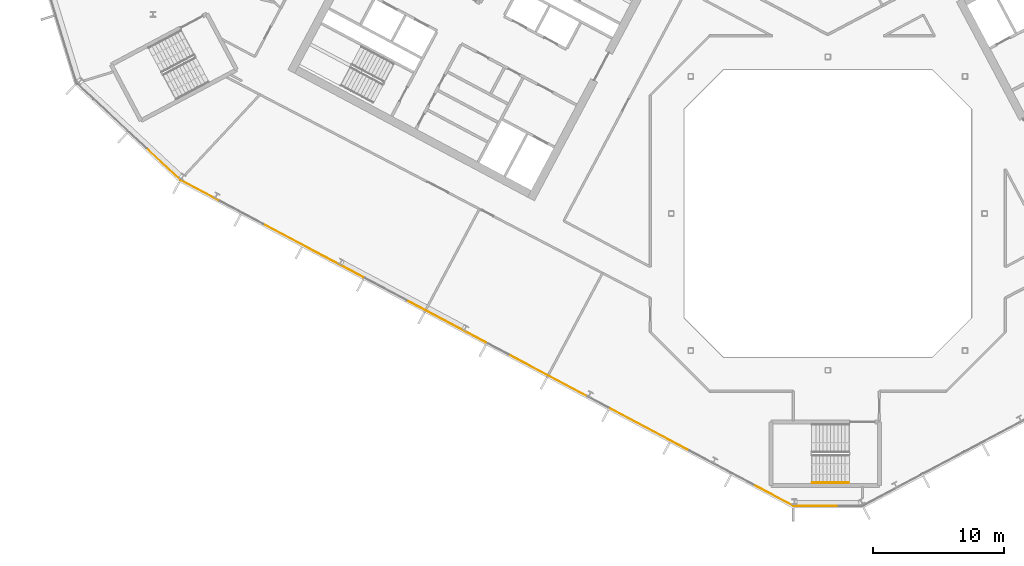
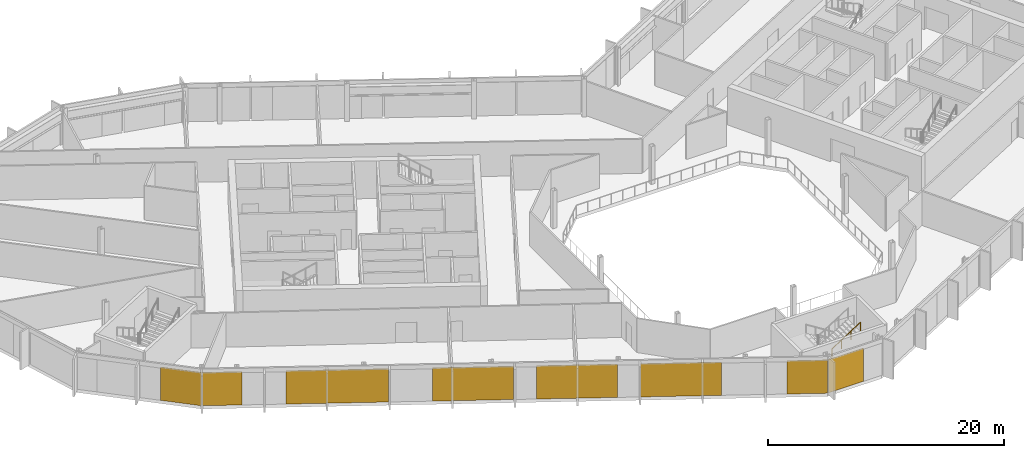
# One storey, part 18 of 26: 8 coverings, 1 railing, 3 elements without a shape of their own.
"""IFC4 building model written with IfcOpenShell, lengths in metres."""

from ifc_helpers import new_model, si_unit, direction, frame, origin, origin_2d, place, context, subcontext, project, spatial, polyline, rectangle, outline, extrude, material, layer, layer_set, type_object, element, aggregate, save


model = new_model("IFC4")

# Units and contexts
model_context = context("Model", 3, precision=1e-05, world=origin(), true_north=direction((0.0, 1.0)))
body_context = subcontext(model_context, "Body", "Model", "MODEL_VIEW")
ifc_project = project(units=[si_unit("LENGTHUNIT", "METRE"), si_unit("AREAUNIT", "SQUARE_METRE"), si_unit("VOLUMEUNIT", "CUBIC_METRE"), si_unit("PLANEANGLEUNIT", "RADIAN"), si_unit("MASSUNIT", "GRAM", prefix="KILO")], contexts=[model_context])

# Site, building, storey
site_placement = place(None, origin())
site = spatial("IfcSite", under=ifc_project, at=site_placement, CompositionType="ELEMENT")
building_placement = place(site_placement, origin())
building = spatial("IfcBuilding", under=site, at=building_placement, Name="Cormorant Relay Tower", CompositionType="ELEMENT")
storey_placement = place(building_placement, frame((0.0, 0.0, 220.800048828125)))
storey = spatial("IfcBuildingStorey", under=building, at=storey_placement, Name="L48", CompositionType="ELEMENT", Elevation=220.800048828125)

# Curtain wall, covering
ifc_material_1 = material(Name="Aluminium 6063-T6 anodised bronze", Category="aluminium")
ifc_layer_1 = layer(ifc_material_1, 0.199951171875)
ifc_layer_set_1 = layer_set([ifc_layer_1], Name="CW1 unitised bronze curtain wall with vertical fins")
curtain_wall_type = type_object("IfcCurtainWallType", Name="CW1 unitised bronze curtain wall with vertical fins", PredefinedType="NOTDEFINED", material=ifc_layer_set_1)
curtain_wall_1_placement = place(storey_placement, origin())
curtain_wall_1 = element("IfcCurtainWall", 1, at=curtain_wall_1_placement, inside=storey, type_object=curtain_wall_type, Name="CW1 curtain wall 1", PredefinedType="NOTDEFINED")
ifc_material_2 = material(Name="Pale bronze anodised aluminium insulated panel", Category="aluminium")
ifc_layer_2 = layer(ifc_material_2, 0.0400390625)
ifc_layer_set_2 = layer_set([ifc_layer_2], Name="CW1 pale bronze insulated panel 40")
covering_type = type_object("IfcCoveringType", Name="CW1 pale bronze insulated panel 40", PredefinedType="CLADDING", material=ifc_layer_set_2)
covering_1_placement = place(storey_placement, frame((-0.862548828125, -22.3955078125, 0.0), z_axis=(0.0, 0.0, 1.0), x_axis=(1.0, 0.0, 0.0)))
covering_1 = element("IfcCovering", 2, at=covering_1_placement, type_object=covering_type, Name="CW1 panel S00", PredefinedType="CLADDING", context=body_context, shape_type="SweptSolid", body=[
    extrude(rectangle(XDim=3.422607421875, YDim=0.0400390625, at=origin_2d()), origin(), (0.0, 0.0, 1.0), 3.449951171875),
])
aggregate(curtain_wall_1, [covering_1])

curtain_wall_2_placement = place(storey_placement, origin())
curtain_wall_2 = element("IfcCurtainWall", 3, at=curtain_wall_2_placement, inside=storey, type_object=curtain_wall_type, Name="CW1 curtain wall 15", PredefinedType="NOTDEFINED")
covering_2_placement = place(storey_placement, frame((-50.906982421875, 3.78369140625, 0.0), z_axis=(0.0, 0.0, 1.0), x_axis=(0.731353701619, -0.681998360062, 0.0)))
covering_2 = element("IfcCovering", 4, at=covering_2_placement, type_object=covering_type, Name="CW1 panel S03", PredefinedType="CLADDING", context=body_context, shape_type="SweptSolid", body=[
    extrude(rectangle(XDim=3.560302734375, YDim=0.0400390625, at=origin_2d()), origin(), (0.0, 0.0, 1.0), 3.449951171875),
])
aggregate(curtain_wall_2, [covering_2])

# Curtain wall, coverings
curtain_wall_3_placement = place(storey_placement, origin())
curtain_wall_3 = element("IfcCurtainWall", 5, at=curtain_wall_3_placement, inside=storey, type_object=curtain_wall_type, Name="CW1 curtain wall 16", PredefinedType="NOTDEFINED")
covering_3_placement = place(storey_placement, frame((-48.048583984375, 1.7412109375, 0.0), z_axis=(0.0, 0.0, 1.0), x_axis=(0.882947592859, -0.469471562786, 0.0)))
covering_3 = element("IfcCovering", 6, at=covering_3_placement, type_object=covering_type, Name="CW1 panel S00", PredefinedType="CLADDING", context=body_context, shape_type="SweptSolid", body=[
    extrude(rectangle(XDim=3.36669921875, YDim=0.0400390625, at=origin_2d()), origin(), (0.0, 0.0, 1.0), 3.449951171875),
])
covering_4_placement = place(storey_placement, frame((-39.417724609375, -2.847900390625, 0.0), z_axis=(0.0, 0.0, 1.0), x_axis=(0.882947592859, -0.469471562786, 0.0)))
covering_4 = element("IfcCovering", 7, at=covering_4_placement, type_object=covering_type, Name="CW1 panel S03", PredefinedType="CLADDING", context=body_context, shape_type="SweptSolid", body=[
    extrude(rectangle(XDim=8.68310546875, YDim=0.0400390625, at=origin_2d()), origin(), (0.0, 0.0, 1.0), 3.449951171875),
])
covering_5_placement = place(storey_placement, frame((-29.234619140625, -8.26220703125, 0.0), z_axis=(0.0, 0.0, 1.0), x_axis=(0.882947592859, -0.469471562786, 0.0)))
covering_5 = element("IfcCovering", 8, at=covering_5_placement, type_object=covering_type, Name="CW1 panel S05", PredefinedType="CLADDING", context=body_context, shape_type="SweptSolid", body=[
    extrude(rectangle(XDim=6.88330078125, YDim=0.0400390625, at=origin_2d()), origin(), (0.0, 0.0, 1.0), 3.449951171875),
])
covering_6_placement = place(storey_placement, frame((-21.435302734375, -12.4091796875, 0.0), z_axis=(0.0, 0.0, 1.0), x_axis=(0.882947592859, -0.469471562786, 0.0)))
covering_6 = element("IfcCovering", 9, at=covering_6_placement, type_object=covering_type, Name="CW1 panel S07", PredefinedType="CLADDING", context=body_context, shape_type="SweptSolid", body=[
    extrude(rectangle(XDim=6.88330078125, YDim=0.0400390625, at=origin_2d()), origin(), (0.0, 0.0, 1.0), 3.449951171875),
])
covering_7_placement = place(storey_placement, frame((-13.635986328125, -16.55615234375, 0.0), z_axis=(0.0, 0.0, 1.0), x_axis=(0.882947592859, -0.469471562786, 0.0)))
covering_7 = element("IfcCovering", 10, at=covering_7_placement, type_object=covering_type, Name="CW1 panel S09", PredefinedType="CLADDING", context=body_context, shape_type="SweptSolid", body=[
    extrude(rectangle(XDim=6.88330078125, YDim=0.0400390625, at=origin_2d()), origin(), (0.0, 0.0, 1.0), 3.449951171875),
])
covering_8_placement = place(storey_placement, frame((-4.177490234375, -21.58544921875, 0.0), z_axis=(0.0, 0.0, 1.0), x_axis=(0.882947592859, -0.469471562786, 0.0)))
covering_8 = element("IfcCovering", 11, at=covering_8_placement, type_object=covering_type, Name="CW1 panel S12", PredefinedType="CLADDING", context=body_context, shape_type="SweptSolid", body=[
    extrude(rectangle(XDim=3.441650390625, YDim=0.0400390625, at=origin_2d()), origin(), (0.0, 0.0, 1.0), 3.449951171875),
])
aggregate(curtain_wall_3, [covering_3, covering_4, covering_5, covering_6, covering_7, covering_8])

# Railing
ifc_material_3 = material(Name="Steel ASTM A572 Grade 50 (Fy 345 MPa)", Category="steel")
railing_type = type_object("IfcRailingType", Name="Stair handrail 900", PredefinedType="HANDRAIL", material=ifc_material_3)
railing_placement = place(storey_placement, frame((-1.199951171875, -20.625, 2.127197265625)))
element("IfcRailing", 12, at=railing_placement, inside=storey, type_object=railing_type, Name="L48 RK1 stair handrail 2", PredefinedType="HANDRAIL", context=body_context, shape_type="SweptSolid", body=[
    extrude(outline(polyline([(0.022216796875, 0.00927734375), (0.00927734375, 0.022216796875), (-0.00927734375, 0.022216796875), (-0.022216796875, 0.00927734375), (-0.022216796875, -0.00927734375), (-0.00927734375, -0.022216796875), (0.00927734375, -0.022216796875), (0.022216796875, -0.00927734375), (0.022216796875, 0.00927734375)])), frame((0.0, 0.0, 0.8759765625), z_axis=(0.844908973607, 0.0, 0.534910110503), x_axis=(0.0, 1.0, 0.0)), (0.0, 0.0, 1.0), 3.31396484375),
    extrude(outline(polyline([(0.019287109375, 0.008056640625), (0.008056640625, 0.019287109375), (-0.008056640625, 0.019287109375), (-0.019287109375, 0.008056640625), (-0.019287109375, -0.008056640625), (-0.008056640625, -0.019287109375), (0.008056640625, -0.019287109375), (0.019287109375, -0.008056640625), (0.019287109375, 0.008056640625)])), origin(), (0.0, 0.0, 1.0), 0.851806640625),
    extrude(outline(polyline([(0.019287109375, 0.008056640625), (0.008056640625, 0.019287109375), (-0.008056640625, 0.019287109375), (-0.019287109375, 0.008056640625), (-0.019287109375, -0.008056640625), (-0.008056640625, -0.019287109375), (0.008056640625, -0.019287109375), (0.019287109375, -0.008056640625), (0.019287109375, 0.008056640625)])), frame((0.933349609375, 0.0, 0.5908203125)), (0.0, 0.0, 1.0), 0.851806640625),
    extrude(outline(polyline([(0.019287109375, 0.008056640625), (0.008056640625, 0.019287109375), (-0.008056640625, 0.019287109375), (-0.019287109375, 0.008056640625), (-0.019287109375, -0.008056640625), (-0.008056640625, -0.019287109375), (0.008056640625, -0.019287109375), (0.019287109375, -0.008056640625), (0.019287109375, 0.008056640625)])), frame((1.86669921875, 0.0, 1.181884765625)), (0.0, 0.0, 1.0), 0.851806640625),
    extrude(outline(polyline([(0.019287109375, 0.008056640625), (0.008056640625, 0.019287109375), (-0.008056640625, 0.019287109375), (-0.019287109375, 0.008056640625), (-0.019287109375, -0.008056640625), (-0.008056640625, -0.019287109375), (0.008056640625, -0.019287109375), (0.019287109375, -0.008056640625), (0.019287109375, 0.008056640625)])), frame((2.800048828125, 0.0, 1.772705078125)), (0.0, 0.0, 1.0), 0.851806640625),
])

save(model, "model.ifc")
